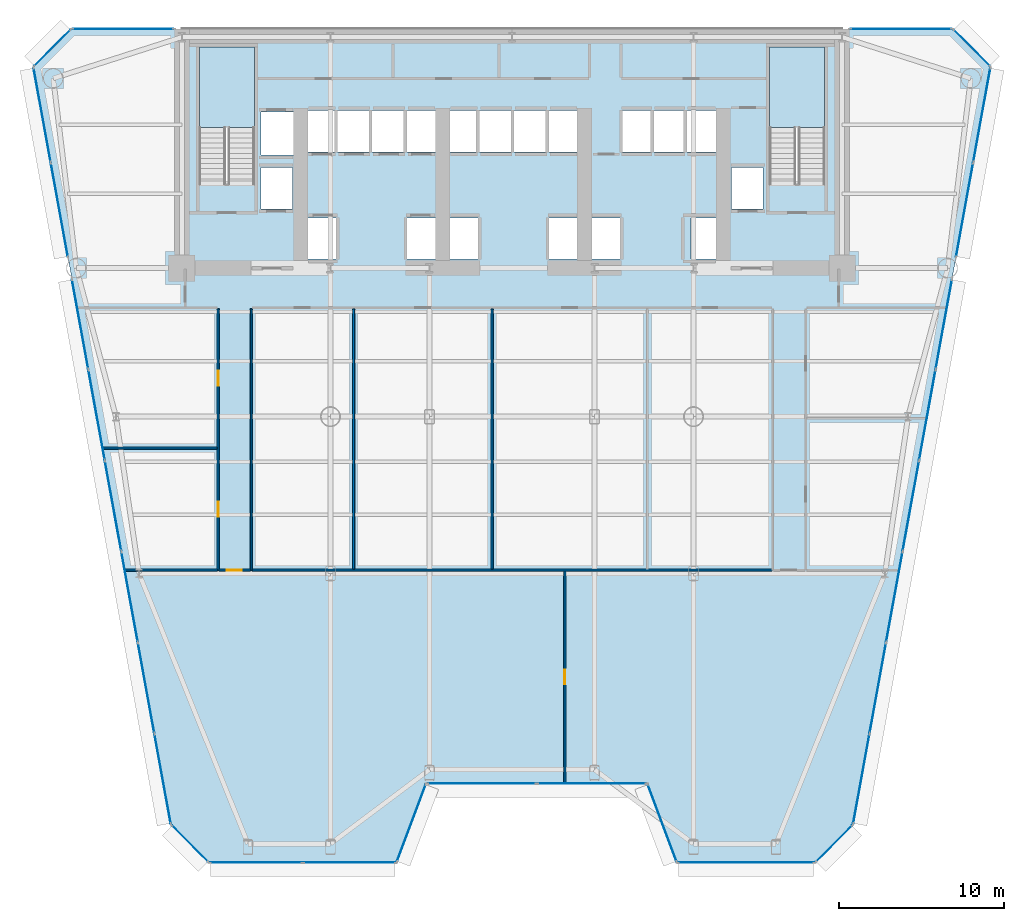
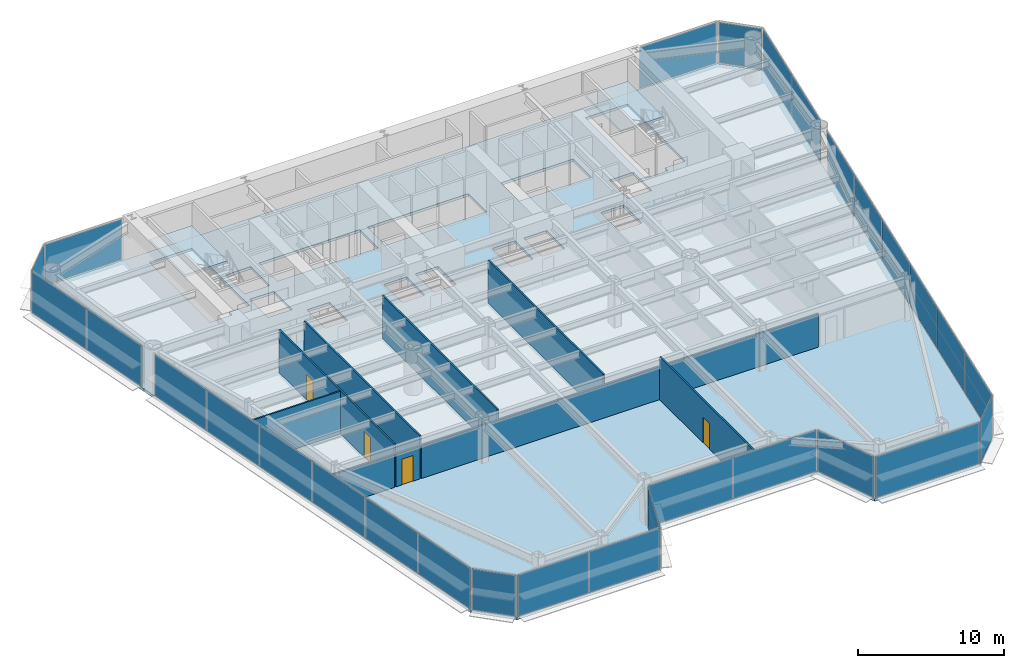
# One storey, part 7 of 14: 29 plates, 9 walls, 4 doors, 3 slabs, 4 openings, 17 elements without a shape of their own.
"""IFC4 building model written with IfcOpenShell, lengths in metres."""

from ifc_helpers import new_model, si_unit, direction, frame, frame_2d, origin, origin_2d, place, context, subcontext, project, spatial, polyline, rectangle, outline, extrude, source, transform, mapped, material, layer, layer_set, type_object, element, fill, aggregate, save


model = new_model("IFC4")

# Units and contexts
model_context = context("Model", 3, precision=1e-05, world=origin(), true_north=direction((0.0, 1.0)))
body_context = subcontext(model_context, "Body", "Model", "MODEL_VIEW")
ifc_project = project(units=[si_unit("LENGTHUNIT", "METRE"), si_unit("AREAUNIT", "SQUARE_METRE"), si_unit("VOLUMEUNIT", "CUBIC_METRE"), si_unit("PLANEANGLEUNIT", "RADIAN"), si_unit("MASSUNIT", "GRAM", prefix="KILO")], contexts=[model_context])

# Site, building, storey
site_placement = place(None, origin())
site = spatial("IfcSite", under=ifc_project, at=site_placement, CompositionType="ELEMENT")
building_placement = place(site_placement, origin())
building = spatial("IfcBuilding", under=site, at=building_placement, Name="Vaeldorn Concourse Tower", CompositionType="ELEMENT")
storey_placement = place(building_placement, frame((0.0, 0.0, 26.39990234375)))
storey = spatial("IfcBuildingStorey", under=building, at=storey_placement, Name="L06", CompositionType="ELEMENT", Elevation=26.39990234375)

# Stair, slab
ifc_material_1 = material(Name="Precast concrete C40/50", Category="concrete")
stair_type = type_object("IfcStairType", Name="STR-DOG-24x158", PredefinedType="HALF_TURN_STAIR", material=ifc_material_1)
stair_1_placement = place(storey_placement, origin())
stair_1 = element("IfcStair", 1, at=stair_1_placement, inside=storey, type_object=stair_type, Name="L06 West Core Exit Stair ST-1", PredefinedType="HALF_TURN_STAIR")
ifc_material_2 = material(Name="Concrete C40/50", Category="concrete")
ifc_layer_1 = layer(ifc_material_2, 0.199951171875)
ifc_layer_set_1 = layer_set([ifc_layer_1], Name="Concrete C40/50")
slab_type_1 = type_object("IfcSlabType", Name="SL-STAIR-LANDING", PredefinedType="LANDING", material=ifc_layer_set_1)
slab_1_placement = place(storey_placement, frame((0.0, 0.0, 1.7001953125)))
slab_1 = element("IfcSlab", 2, at=slab_1_placement, type_object=slab_type_1, Name="ST-1 landing 1", PredefinedType="LANDING", context=body_context, shape_type="SweptSolid", body=[
    extrude(outline(polyline([(18.39990234375, 45.010009765625), (18.39990234375, 49.89990234375), (15.050048828125, 49.89990234375), (15.050048828125, 45.010009765625), (18.39990234375, 45.010009765625)])), origin(), (0.0, 0.0, 1.0), 0.199951171875),
])
aggregate(stair_1, [slab_1])

stair_2_placement = place(storey_placement, origin())
stair_2 = element("IfcStair", 3, at=stair_2_placement, inside=storey, type_object=stair_type, Name="L06 East Core Exit Stair ST-2", PredefinedType="HALF_TURN_STAIR")
slab_2_placement = place(storey_placement, frame((0.0, 0.0, 1.7001953125)))
slab_2 = element("IfcSlab", 4, at=slab_2_placement, type_object=slab_type_1, Name="ST-2 landing 1", PredefinedType="LANDING", context=body_context, shape_type="SweptSolid", body=[
    extrude(outline(polyline([(52.949951171875, 45.010009765625), (52.949951171875, 49.89990234375), (49.60009765625, 49.89990234375), (49.60009765625, 45.010009765625), (52.949951171875, 45.010009765625)])), origin(), (0.0, 0.0, 1.0), 0.199951171875),
])
aggregate(stair_2, [slab_2])

# Slab
ifc_layer_2 = layer(ifc_material_2, 0.219970703125)
ifc_layer_set_2 = layer_set([ifc_layer_2], Name="Concrete C40/50")
slab_type_2 = type_object("IfcSlabType", Name="SL-TYP-220", PredefinedType="FLOOR", material=ifc_layer_set_2)
slab_3_placement = place(storey_placement, frame((0.0, 0.0, -0.219970703125)))
element("IfcSlab", 5, at=slab_3_placement, inside=storey, type_object=slab_type_2, Name="Structural Floor Slab L06", PredefinedType="FLOOR", context=body_context, shape_type="SweptSolid", body=[
    extrude(outline(polyline([(15.635986328125, 0.478271484375), (27.0, 0.478271484375), (28.800048828125, 5.2783203125), (42.199951171875, 5.2783203125), (44.0, 0.478271484375), (52.364013671875, 0.478271484375), (54.663818359375, 2.7783203125), (63.0, 48.699951171875), (60.699951171875, 51.0), (7.300048828125, 51.0), (5.0, 48.699951171875), (13.336181640625, 2.7783203125), (15.635986328125, 0.478271484375)]), holes=[polyline([(18.39990234375, 42.0), (18.39990234375, 49.89990234375), (15.050048828125, 49.89990234375), (15.050048828125, 41.60009765625), (16.800048828125, 41.60009765625), (16.800048828125, 42.0), (18.39990234375, 42.0)]), polyline([(52.949951171875, 42.0), (52.949951171875, 49.89990234375), (49.60009765625, 49.89990234375), (49.60009765625, 41.60009765625), (51.35009765625, 41.60009765625), (51.35009765625, 42.0), (52.949951171875, 42.0)]), polyline([(21.550048828125, 37.050048828125), (23.35009765625, 37.050048828125), (23.35009765625, 39.550048828125), (21.550048828125, 39.550048828125), (21.550048828125, 37.050048828125)]), polyline([(27.64990234375, 37.050048828125), (29.449951171875, 37.050048828125), (29.449951171875, 39.550048828125), (27.64990234375, 39.550048828125), (27.64990234375, 37.050048828125)]), polyline([(21.5, 43.550048828125), (29.5, 43.550048828125), (29.5, 46.050048828125), (21.5, 46.050048828125), (21.5, 43.550048828125)]), polyline([(30.14990234375, 37.050048828125), (31.949951171875, 37.050048828125), (31.949951171875, 39.550048828125), (30.14990234375, 39.550048828125), (30.14990234375, 37.050048828125)]), polyline([(36.25, 37.050048828125), (38.050048828125, 37.050048828125), (38.050048828125, 39.550048828125), (36.25, 39.550048828125), (36.25, 37.050048828125)]), polyline([(30.10009765625, 43.550048828125), (38.10009765625, 43.550048828125), (38.10009765625, 46.050048828125), (30.10009765625, 46.050048828125), (30.10009765625, 43.550048828125)]), polyline([(38.75, 37.050048828125), (40.550048828125, 37.050048828125), (40.550048828125, 39.550048828125), (38.75, 39.550048828125), (38.75, 37.050048828125)]), polyline([(44.85009765625, 37.050048828125), (46.64990234375, 37.050048828125), (46.64990234375, 39.550048828125), (44.85009765625, 39.550048828125), (44.85009765625, 37.050048828125)]), polyline([(40.699951171875, 43.550048828125), (46.39990234375, 43.550048828125), (46.39990234375, 46.050048828125), (40.699951171875, 46.050048828125), (40.699951171875, 43.550048828125)]), polyline([(18.800048828125, 43.35009765625), (20.800048828125, 43.35009765625), (20.800048828125, 45.949951171875), (18.800048828125, 45.949951171875), (18.800048828125, 43.35009765625)]), polyline([(18.800048828125, 40.10009765625), (20.699951171875, 40.10009765625), (20.699951171875, 42.60009765625), (18.800048828125, 42.60009765625), (18.800048828125, 40.10009765625)]), polyline([(47.300048828125, 40.10009765625), (49.199951171875, 40.10009765625), (49.199951171875, 42.60009765625), (47.300048828125, 42.60009765625), (47.300048828125, 40.10009765625)])]), origin(), (0.0, 0.0, 1.0), 0.219970703125),
])

# Curtain wall, plate
ifc_material_3 = material(Name="Anodised Bronze Aluminium", Category="aluminium")
ifc_layer_3 = layer(ifc_material_3, 0.219970703125)
ifc_layer_set_3 = layer_set([ifc_layer_3], Name="Anodised Bronze Aluminium")
curtain_wall_type = type_object("IfcCurtainWallType", Name="CW-SYS-01", PredefinedType="NOTDEFINED", material=ifc_layer_set_3)
curtain_wall_1_placement = place(storey_placement, origin())
curtain_wall_1 = element("IfcCurtainWall", 6, at=curtain_wall_1_placement, inside=storey, type_object=curtain_wall_type, Name="Unitised Curtain Wall CW-L06-E02-1", PredefinedType="NOTDEFINED")
ifc_material_4 = material(Name="Bronze Tinted Low-E Insulated Glass", Category="glass")
ifc_layer_4 = layer(ifc_material_4, 0.031982421875)
ifc_layer_set_4 = layer_set([ifc_layer_4], Name="Bronze Tinted Low-E Insulated Glass")
plate_type = type_object("IfcPlateType", Name="CWP-VISION-32", PredefinedType="CURTAIN_PANEL", material=ifc_layer_set_4)
shared_shape_1 = source(origin(), body_context, "Body", "SweptSolid", [
    extrude(rectangle(XDim=4.976318359375, YDim=0.031982421875, at=origin_2d()), origin(), (0.0, 0.0, 1.0), 3.429931640625),
])
plate_1_placement = place(storey_placement, frame((27.89990234375, 2.878173828125, 0.0751953125), z_axis=(0.0, 0.0, 1.0), x_axis=(0.351123441595, 0.936329177566, 0.0)))
plate_1 = element("IfcPlate", 7, at=plate_1_placement, type_object=plate_type, Name="CW-01 panel 1.1", PredefinedType="CURTAIN_PANEL", context=body_context, shape_type="MappedRepresentation", body=[
    mapped(shared_shape_1, transform((0.0, 0.0, 0.0), scale=1.0)),
])
aggregate(curtain_wall_1, [plate_1])

curtain_wall_2_placement = place(storey_placement, origin())
curtain_wall_2 = element("IfcCurtainWall", 8, at=curtain_wall_2_placement, inside=storey, type_object=curtain_wall_type, Name="Unitised Curtain Wall CW-L06-E04-1", PredefinedType="NOTDEFINED")
plate_2_placement = place(storey_placement, frame((43.10009765625, 2.878173828125, 0.0751953125), z_axis=(0.0, 0.0, 1.0), x_axis=(0.351123441595, -0.936329177566, 0.0)))
plate_2 = element("IfcPlate", 9, at=plate_2_placement, type_object=plate_type, Name="CW-01 panel 1.1", PredefinedType="CURTAIN_PANEL", context=body_context, shape_type="MappedRepresentation", body=[
    mapped(shared_shape_1, transform((0.0, 0.0, 0.0), scale=1.0)),
])
aggregate(curtain_wall_2, [plate_2])

# Curtain wall, plates
curtain_wall_3_placement = place(storey_placement, origin())
curtain_wall_3 = element("IfcCurtainWall", 10, at=curtain_wall_3_placement, inside=storey, type_object=curtain_wall_type, Name="Unitised Curtain Wall CW-L06-E03-1", PredefinedType="NOTDEFINED")
shared_shape_2 = source(origin(), body_context, "Body", "SweptSolid", [
    extrude(rectangle(XDim=6.58740234375, YDim=0.031982421875, at=origin_2d()), origin(), (0.0, 0.0, 1.0), 3.429931640625),
])
plate_3_placement = place(storey_placement, frame((32.168701171875, 5.2783203125, 0.0751953125), z_axis=(0.0, 0.0, 1.0), x_axis=(1.0, 0.0, 0.0)))
plate_3 = element("IfcPlate", 11, at=plate_3_placement, type_object=plate_type, Name="CW-01 panel 1.1", PredefinedType="CURTAIN_PANEL", context=body_context, shape_type="MappedRepresentation", body=[
    mapped(shared_shape_2, transform((0.0, 0.0, 0.0), scale=1.0)),
])
plate_4_placement = place(storey_placement, frame((38.831298828125, 5.2783203125, 0.0751953125), z_axis=(0.0, 0.0, 1.0), x_axis=(1.0, 0.0, 0.0)))
plate_4 = element("IfcPlate", 12, at=plate_4_placement, type_object=plate_type, Name="CW-01 panel 2.1", PredefinedType="CURTAIN_PANEL", context=body_context, shape_type="MappedRepresentation", body=[
    mapped(shared_shape_2, transform((0.0, 0.0, 0.0), scale=1.0)),
])
aggregate(curtain_wall_3, [plate_3, plate_4])

# Curtain wall, plate
curtain_wall_4_placement = place(storey_placement, origin())
curtain_wall_4 = element("IfcCurtainWall", 13, at=curtain_wall_4_placement, inside=storey, type_object=curtain_wall_type, Name="Unitised Curtain Wall CW-L06-E06-1", PredefinedType="NOTDEFINED")
shared_shape_3 = source(origin(), body_context, "Body", "SweptSolid", [
    extrude(rectangle(XDim=3.102783203125, YDim=0.031982421875, at=origin_2d()), origin(), (0.0, 0.0, 1.0), 3.429931640625),
])
plate_5_placement = place(storey_placement, frame((53.513916015625, 1.628173828125, 0.0751953125), z_axis=(0.0, 0.0, 1.0), x_axis=(0.707106781187, 0.707106781187, 0.0)))
plate_5 = element("IfcPlate", 14, at=plate_5_placement, type_object=plate_type, Name="CW-01 panel 1.1", PredefinedType="CURTAIN_PANEL", context=body_context, shape_type="MappedRepresentation", body=[
    mapped(shared_shape_3, transform((0.0, 0.0, 0.0), scale=1.0)),
])
aggregate(curtain_wall_4, [plate_5])

curtain_wall_5_placement = place(storey_placement, origin())
curtain_wall_5 = element("IfcCurtainWall", 15, at=curtain_wall_5_placement, inside=storey, type_object=curtain_wall_type, Name="Unitised Curtain Wall CW-L06-E08-1", PredefinedType="NOTDEFINED")
plate_6_placement = place(storey_placement, frame((61.85009765625, 49.85009765625, 0.0751953125), z_axis=(0.0, 0.0, 1.0), x_axis=(-0.707106781187, 0.707106781187, 0.0)))
plate_6 = element("IfcPlate", 16, at=plate_6_placement, type_object=plate_type, Name="CW-01 panel 1.1", PredefinedType="CURTAIN_PANEL", context=body_context, shape_type="MappedRepresentation", body=[
    mapped(shared_shape_3, transform((0.0, 0.0, 0.0), scale=1.0)),
])
aggregate(curtain_wall_5, [plate_6])

curtain_wall_6_placement = place(storey_placement, origin())
curtain_wall_6 = element("IfcCurtainWall", 17, at=curtain_wall_6_placement, inside=storey, type_object=curtain_wall_type, Name="Unitised Curtain Wall CW-L06-E10-1", PredefinedType="NOTDEFINED")
plate_7_placement = place(storey_placement, frame((6.14990234375, 49.85009765625, 0.0751953125), z_axis=(0.0, 0.0, 1.0), x_axis=(-0.707106781187, -0.707106781187, 0.0)))
plate_7 = element("IfcPlate", 18, at=plate_7_placement, type_object=plate_type, Name="CW-01 panel 1.1", PredefinedType="CURTAIN_PANEL", context=body_context, shape_type="MappedRepresentation", body=[
    mapped(shared_shape_3, transform((0.0, 0.0, 0.0), scale=1.0)),
])
aggregate(curtain_wall_6, [plate_7])

curtain_wall_7_placement = place(storey_placement, origin())
curtain_wall_7 = element("IfcCurtainWall", 19, at=curtain_wall_7_placement, inside=storey, type_object=curtain_wall_type, Name="Unitised Curtain Wall CW-L06-E12-1", PredefinedType="NOTDEFINED")
plate_8_placement = place(storey_placement, frame((14.486083984375, 1.628173828125, 0.0751953125), z_axis=(0.0, 0.0, 1.0), x_axis=(0.707106781187, -0.707106781187, 0.0)))
plate_8 = element("IfcPlate", 20, at=plate_8_placement, type_object=plate_type, Name="CW-01 panel 1.1", PredefinedType="CURTAIN_PANEL", context=body_context, shape_type="MappedRepresentation", body=[
    mapped(shared_shape_3, transform((0.0, 0.0, 0.0), scale=1.0)),
])
aggregate(curtain_wall_7, [plate_8])

curtain_wall_8_placement = place(storey_placement, origin())
curtain_wall_8 = element("IfcCurtainWall", 21, at=curtain_wall_8_placement, inside=storey, type_object=curtain_wall_type, Name="Unitised Curtain Wall CW-L06-E09-1", PredefinedType="NOTDEFINED")
shared_shape_4 = source(origin(), body_context, "Body", "SweptSolid", [
    extrude(rectangle(XDim=6.10498046875, YDim=0.031982421875, at=origin_2d()), origin(), (0.0, 0.0, 1.0), 3.429931640625),
])
plate_9_placement = place(storey_placement, frame((57.572509765625, 51.0, 0.0751953125), z_axis=(0.0, 0.0, 1.0), x_axis=(-1.0, 0.0, 0.0)))
plate_9 = element("IfcPlate", 22, at=plate_9_placement, type_object=plate_type, Name="CW-01 panel 1.1", PredefinedType="CURTAIN_PANEL", context=body_context, shape_type="MappedRepresentation", body=[
    mapped(shared_shape_4, transform((0.0, 0.0, 0.0), scale=1.0)),
])
aggregate(curtain_wall_8, [plate_9])

curtain_wall_9_placement = place(storey_placement, origin())
curtain_wall_9 = element("IfcCurtainWall", 23, at=curtain_wall_9_placement, inside=storey, type_object=curtain_wall_type, Name="Unitised Curtain Wall CW-L06-E09-2", PredefinedType="NOTDEFINED")
plate_10_placement = place(storey_placement, frame((10.427490234375, 51.0, 0.0751953125), z_axis=(0.0, 0.0, 1.0), x_axis=(-1.0, 0.0, 0.0)))
plate_10 = element("IfcPlate", 24, at=plate_10_placement, type_object=plate_type, Name="CW-01 panel 1.1", PredefinedType="CURTAIN_PANEL", context=body_context, shape_type="MappedRepresentation", body=[
    mapped(shared_shape_4, transform((0.0, 0.0, 0.0), scale=1.0)),
])
aggregate(curtain_wall_9, [plate_10])

# Curtain wall, plates
curtain_wall_10_placement = place(storey_placement, origin())
curtain_wall_10 = element("IfcCurtainWall", 25, at=curtain_wall_10_placement, inside=storey, type_object=curtain_wall_type, Name="Unitised Curtain Wall CW-L06-E01-1", PredefinedType="NOTDEFINED")
shared_shape_5 = source(origin(), body_context, "Body", "SweptSolid", [
    extrude(rectangle(XDim=5.5693359375, YDim=0.031982421875, at=origin_2d()), origin(), (0.0, 0.0, 1.0), 3.429931640625),
])
plate_11_placement = place(storey_placement, frame((18.495849609375, 0.478271484375, 0.0751953125), z_axis=(0.0, 0.0, 1.0), x_axis=(1.0, 0.0, 0.0)))
plate_11 = element("IfcPlate", 26, at=plate_11_placement, type_object=plate_type, Name="CW-01 panel 1.1", PredefinedType="CURTAIN_PANEL", context=body_context, shape_type="MappedRepresentation", body=[
    mapped(shared_shape_5, transform((0.0, 0.0, 0.0), scale=1.0)),
])
plate_12_placement = place(storey_placement, frame((24.140380859375, 0.478271484375, 0.0751953125), z_axis=(0.0, 0.0, 1.0), x_axis=(1.0, 0.0, 0.0)))
plate_12 = element("IfcPlate", 27, at=plate_12_placement, type_object=plate_type, Name="CW-01 panel 2.1", PredefinedType="CURTAIN_PANEL", context=body_context, shape_type="MappedRepresentation", body=[
    mapped(shared_shape_5, transform((0.0, 0.0, 0.0), scale=1.0)),
])
aggregate(curtain_wall_10, [plate_11, plate_12])

# Curtain wall, plate
curtain_wall_11_placement = place(storey_placement, origin())
curtain_wall_11 = element("IfcCurtainWall", 28, at=curtain_wall_11_placement, inside=storey, type_object=curtain_wall_type, Name="Unitised Curtain Wall CW-L06-E05-1", PredefinedType="NOTDEFINED")
shared_shape_6 = source(origin(), body_context, "Body", "SweptSolid", [
    extrude(rectangle(XDim=8.2138671875, YDim=0.031982421875, at=origin_2d()), origin(), (0.0, 0.0, 1.0), 3.429931640625),
])
plate_13_placement = place(storey_placement, frame((48.181884765625, 0.478271484375, 0.0751953125), z_axis=(0.0, 0.0, 1.0), x_axis=(1.0, 0.0, 0.0)))
plate_13 = element("IfcPlate", 29, at=plate_13_placement, type_object=plate_type, Name="CW-01 panel 1.1", PredefinedType="CURTAIN_PANEL", context=body_context, shape_type="MappedRepresentation", body=[
    mapped(shared_shape_6, transform((0.0, 0.0, 0.0), scale=1.0)),
])
aggregate(curtain_wall_11, [plate_13])

# Curtain wall, plates
curtain_wall_12_placement = place(storey_placement, origin())
curtain_wall_12 = element("IfcCurtainWall", 30, at=curtain_wall_12_placement, inside=storey, type_object=curtain_wall_type, Name="Unitised Curtain Wall CW-L06-E07-1", PredefinedType="NOTDEFINED")
shared_shape_7 = source(origin(), body_context, "Body", "SweptSolid", [
    extrude(rectangle(XDim=5.49462890625, YDim=0.031982421875, at=origin_2d()), origin(), (0.0, 0.0, 1.0), 3.429931640625),
])
plate_14_placement = place(storey_placement, frame((55.16796875, 5.55517578125, 0.0751953125), z_axis=(0.0, 0.0, 1.0), x_axis=(0.178609215521, 0.983920092351, 0.0)))
plate_14 = element("IfcPlate", 31, at=plate_14_placement, type_object=plate_type, Name="CW-01 panel 1.1", PredefinedType="CURTAIN_PANEL", context=body_context, shape_type="MappedRepresentation", body=[
    mapped(shared_shape_7, transform((0.0, 0.0, 0.0), scale=1.0)),
])
plate_15_placement = place(storey_placement, frame((60.168701171875, 33.103515625, 0.0751953125), z_axis=(0.0, 0.0, 1.0), x_axis=(0.178609215521, 0.983920092351, 0.0)))
plate_15 = element("IfcPlate", 32, at=plate_15_placement, type_object=plate_type, Name="CW-01 panel 6.1", PredefinedType="CURTAIN_PANEL", context=body_context, shape_type="MappedRepresentation", body=[
    mapped(shared_shape_7, transform((0.0, 0.0, 0.0), scale=1.0)),
])

curtain_wall_13_placement = place(storey_placement, origin())
curtain_wall_13 = element("IfcCurtainWall", 33, at=curtain_wall_13_placement, inside=storey, type_object=curtain_wall_type, Name="Unitised Curtain Wall CW-L06-E11-2", PredefinedType="NOTDEFINED")
plate_16_placement = place(storey_placement, frame((7.831298828125, 33.103515625, 0.0751953125), z_axis=(0.0, 0.0, 1.0), x_axis=(0.178609215521, -0.983920092351, 0.0)))
plate_16 = element("IfcPlate", 34, at=plate_16_placement, type_object=plate_type, Name="CW-01 panel 1.1", PredefinedType="CURTAIN_PANEL", context=body_context, shape_type="MappedRepresentation", body=[
    mapped(shared_shape_7, transform((0.0, 0.0, 0.0), scale=1.0)),
])
plate_17_placement = place(storey_placement, frame((12.83203125, 5.55517578125, 0.0751953125), z_axis=(0.0, 0.0, 1.0), x_axis=(0.178609215521, -0.983920092351, 0.0)))
plate_17 = element("IfcPlate", 35, at=plate_17_placement, type_object=plate_type, Name="CW-01 panel 6.1", PredefinedType="CURTAIN_PANEL", context=body_context, shape_type="MappedRepresentation", body=[
    mapped(shared_shape_7, transform((0.0, 0.0, 0.0), scale=1.0)),
])

# Plate
shared_shape_8 = source(origin(), body_context, "Body", "SweptSolid", [
    extrude(rectangle(XDim=5.5322265625, YDim=0.031982421875, at=origin_2d()), origin(), (0.0, 0.0, 1.0), 3.429931640625),
])
plate_18_placement = place(storey_placement, frame((56.166259765625, 11.0537109375, 0.0751953125), z_axis=(0.0, 0.0, 1.0), x_axis=(0.178609215521, 0.983920092351, 0.0)))
plate_18 = element("IfcPlate", 36, at=plate_18_placement, type_object=plate_type, Name="CW-01 panel 2.1", PredefinedType="CURTAIN_PANEL", context=body_context, shape_type="MappedRepresentation", body=[
    mapped(shared_shape_8, transform((0.0, 0.0, 0.0), scale=1.0)),
])

plate_19_placement = place(storey_placement, frame((57.167724609375, 16.57080078125, 0.0751953125), z_axis=(0.0, 0.0, 1.0), x_axis=(0.178609215521, 0.983920092351, 0.0)))
plate_19 = element("IfcPlate", 37, at=plate_19_placement, type_object=plate_type, Name="CW-01 panel 3.1", PredefinedType="CURTAIN_PANEL", context=body_context, shape_type="MappedRepresentation", body=[
    mapped(shared_shape_8, transform((0.0, 0.0, 0.0), scale=1.0)),
])

plate_20_placement = place(storey_placement, frame((58.169189453125, 22.087890625, 0.0751953125), z_axis=(0.0, 0.0, 1.0), x_axis=(0.178609215521, 0.983920092351, 0.0)))
plate_20 = element("IfcPlate", 38, at=plate_20_placement, type_object=plate_type, Name="CW-01 panel 4.1", PredefinedType="CURTAIN_PANEL", context=body_context, shape_type="MappedRepresentation", body=[
    mapped(shared_shape_8, transform((0.0, 0.0, 0.0), scale=1.0)),
])

plate_21_placement = place(storey_placement, frame((59.170654296875, 27.60498046875, 0.0751953125), z_axis=(0.0, 0.0, 1.0), x_axis=(0.178609215521, 0.983920092351, 0.0)))
plate_21 = element("IfcPlate", 39, at=plate_21_placement, type_object=plate_type, Name="CW-01 panel 5.1", PredefinedType="CURTAIN_PANEL", context=body_context, shape_type="MappedRepresentation", body=[
    mapped(shared_shape_8, transform((0.0, 0.0, 0.0), scale=1.0)),
])

aggregate(curtain_wall_12, [plate_14, plate_18, plate_19, plate_20, plate_21, plate_15])

plate_22_placement = place(storey_placement, frame((8.829345703125, 27.60498046875, 0.0751953125), z_axis=(0.0, 0.0, 1.0), x_axis=(0.178609215521, -0.983920092351, 0.0)))
plate_22 = element("IfcPlate", 40, at=plate_22_placement, type_object=plate_type, Name="CW-01 panel 2.1", PredefinedType="CURTAIN_PANEL", context=body_context, shape_type="MappedRepresentation", body=[
    mapped(shared_shape_8, transform((0.0, 0.0, 0.0), scale=1.0)),
])

plate_23_placement = place(storey_placement, frame((9.830810546875, 22.087890625, 0.0751953125), z_axis=(0.0, 0.0, 1.0), x_axis=(0.178609215521, -0.983920092351, 0.0)))
plate_23 = element("IfcPlate", 41, at=plate_23_placement, type_object=plate_type, Name="CW-01 panel 3.1", PredefinedType="CURTAIN_PANEL", context=body_context, shape_type="MappedRepresentation", body=[
    mapped(shared_shape_8, transform((0.0, 0.0, 0.0), scale=1.0)),
])

plate_24_placement = place(storey_placement, frame((10.832275390625, 16.57080078125, 0.0751953125), z_axis=(0.0, 0.0, 1.0), x_axis=(0.178609215521, -0.983920092351, 0.0)))
plate_24 = element("IfcPlate", 42, at=plate_24_placement, type_object=plate_type, Name="CW-01 panel 4.1", PredefinedType="CURTAIN_PANEL", context=body_context, shape_type="MappedRepresentation", body=[
    mapped(shared_shape_8, transform((0.0, 0.0, 0.0), scale=1.0)),
])

plate_25_placement = place(storey_placement, frame((11.833740234375, 11.0537109375, 0.0751953125), z_axis=(0.0, 0.0, 1.0), x_axis=(0.178609215521, -0.983920092351, 0.0)))
plate_25 = element("IfcPlate", 43, at=plate_25_placement, type_object=plate_type, Name="CW-01 panel 5.1", PredefinedType="CURTAIN_PANEL", context=body_context, shape_type="MappedRepresentation", body=[
    mapped(shared_shape_8, transform((0.0, 0.0, 0.0), scale=1.0)),
])

aggregate(curtain_wall_13, [plate_16, plate_22, plate_23, plate_24, plate_25, plate_17])

# Curtain wall, plates
curtain_wall_14_placement = place(storey_placement, origin())
curtain_wall_14 = element("IfcCurtainWall", 44, at=curtain_wall_14_placement, inside=storey, type_object=curtain_wall_type, Name="Unitised Curtain Wall CW-L06-E07-2", PredefinedType="NOTDEFINED")
shared_shape_9 = source(origin(), body_context, "Body", "SweptSolid", [
    extrude(rectangle(XDim=5.7724609375, YDim=0.031982421875, at=origin_2d()), origin(), (0.0, 0.0, 1.0), 3.429931640625),
])
plate_26_placement = place(storey_placement, frame((61.4267578125, 40.032958984375, 0.0751953125), z_axis=(0.0, 0.0, 1.0), x_axis=(0.178610285377, 0.983919898141, 0.0)))
plate_26 = element("IfcPlate", 45, at=plate_26_placement, type_object=plate_type, Name="CW-01 panel 1.1", PredefinedType="CURTAIN_PANEL", context=body_context, shape_type="MappedRepresentation", body=[
    mapped(shared_shape_9, transform((0.0, 0.0, 0.0), scale=1.0)),
])
plate_27_placement = place(storey_placement, frame((62.47119140625, 45.786376953125, 0.0751953125), z_axis=(0.0, 0.0, 1.0), x_axis=(0.178610285377, 0.983919898141, 0.0)))
plate_27 = element("IfcPlate", 46, at=plate_27_placement, type_object=plate_type, Name="CW-01 panel 2.1", PredefinedType="CURTAIN_PANEL", context=body_context, shape_type="MappedRepresentation", body=[
    mapped(shared_shape_9, transform((0.0, 0.0, 0.0), scale=1.0)),
])
aggregate(curtain_wall_14, [plate_26, plate_27])

curtain_wall_15_placement = place(storey_placement, origin())
curtain_wall_15 = element("IfcCurtainWall", 47, at=curtain_wall_15_placement, inside=storey, type_object=curtain_wall_type, Name="Unitised Curtain Wall CW-L06-E11-1", PredefinedType="NOTDEFINED")
plate_28_placement = place(storey_placement, frame((5.52880859375, 45.786376953125, 0.0751953125), z_axis=(0.0, 0.0, 1.0), x_axis=(0.178610285377, -0.983919898141, 0.0)))
plate_28 = element("IfcPlate", 48, at=plate_28_placement, type_object=plate_type, Name="CW-01 panel 1.1", PredefinedType="CURTAIN_PANEL", context=body_context, shape_type="MappedRepresentation", body=[
    mapped(shared_shape_9, transform((0.0, 0.0, 0.0), scale=1.0)),
])
plate_29_placement = place(storey_placement, frame((6.5732421875, 40.032958984375, 0.0751953125), z_axis=(0.0, 0.0, 1.0), x_axis=(0.178610285377, -0.983919898141, 0.0)))
plate_29 = element("IfcPlate", 49, at=plate_29_placement, type_object=plate_type, Name="CW-01 panel 2.1", PredefinedType="CURTAIN_PANEL", context=body_context, shape_type="MappedRepresentation", body=[
    mapped(shared_shape_9, transform((0.0, 0.0, 0.0), scale=1.0)),
])
aggregate(curtain_wall_15, [plate_28, plate_29])

# Wall, openings, doors
ifc_material_5 = material(Name="Gypsum Board Partition", Category="gypsum")
ifc_layer_5 = layer(ifc_material_5, 0.1201171875)
ifc_layer_set_5 = layer_set([ifc_layer_5], Name="Gypsum Board Partition")
wall_type = type_object("IfcWallType", Name="WL-PART-120", PredefinedType="PARTITIONING", material=ifc_layer_set_5)
wall_1_placement = place(storey_placement, frame((16.199951171875, 18.199951171875, 0.0), z_axis=(0.0, 0.0, 1.0), x_axis=(0.0, 1.0, 0.0)))
wall_1 = element("IfcWall", 50, at=wall_1_placement, inside=storey, type_object=wall_type, Name="Interior Wall PW-L06-CWW", PredefinedType="PARTITIONING", context=body_context, shape_type="SweptSolid", body=[
    extrude(rectangle(XDim=15.840087890625, YDim=0.1201171875, at=frame_2d((7.919921875, 0.0))), origin(), (0.0, 0.0, 1.0), 3.580078125),
])
opening_1_placement = place(wall_1_placement, frame((3.25, 0.0, 0.0)))
opening_1 = element("IfcOpeningElement", 51, at=opening_1_placement, cuts=wall_1, Name="Opening D-03", PredefinedType="OPENING", context=body_context, shape_type="SweptSolid", body=[
    extrude(rectangle(XDim=0.89990234375, YDim=2.14990234375, at=frame_2d((0.449951171875, 1.074951171875))), frame((0.0, 0.070068359375, 0.0), z_axis=(0.0, -1.0, 0.0), x_axis=(1.0, 0.0, 0.0)), (0.0, 0.0, 1.0), 0.14013671875),
])
opening_2_placement = place(wall_1_placement, frame((11.169921875, 0.0, 0.0)))
opening_2 = element("IfcOpeningElement", 52, at=opening_2_placement, cuts=wall_1, Name="Opening D-03", PredefinedType="OPENING", context=body_context, shape_type="SweptSolid", body=[
    extrude(rectangle(XDim=0.89990234375, YDim=2.14990234375, at=frame_2d((0.449951171875, 1.074951171875))), frame((0.0, 0.070068359375, 0.0), z_axis=(0.0, -1.0, 0.0), x_axis=(1.0, 0.0, 0.0)), (0.0, 0.0, 1.0), 0.14013671875),
])
ifc_material_6 = material(Name="Acoustic Bronze-Framed Glass Door", Category="glass")
door_type = type_object("IfcDoorType", Name="DR-INT-900", OperationType="NOTDEFINED", PredefinedType="DOOR", material=ifc_material_6)
shared_shape_10 = source(origin(), body_context, "Body", "SweptSolid", [
    extrude(rectangle(XDim=0.89990234375, YDim=2.14990234375, at=frame_2d((0.449951171875, 1.074951171875))), frame((0.0, 0.02490234375, 0.0), z_axis=(0.0, -1.0, 0.0), x_axis=(1.0, 0.0, 0.0)), (0.0, 0.0, 1.0), 0.050048828125),
])
door_1_placement = place(opening_1_placement, origin())
door_1 = element("IfcDoor", 53, at=door_1_placement, inside=storey, type_object=door_type, Name="Interior Door DR-L06-W1", OperationType="SINGLE_SWING_LEFT", OverallHeight=2.14990234375, OverallWidth=0.89990234375, PredefinedType="DOOR", context=body_context, shape_type="MappedRepresentation", body=[
    mapped(shared_shape_10, transform((0.0, 0.0, 0.0), scale=1.0)),
])
fill(opening_1, door_1)
door_2_placement = place(opening_2_placement, origin())
door_2 = element("IfcDoor", 54, at=door_2_placement, inside=storey, type_object=door_type, Name="Interior Door DR-L06-W2", OperationType="SINGLE_SWING_RIGHT", OverallHeight=2.14990234375, OverallWidth=0.89990234375, PredefinedType="DOOR", context=body_context, shape_type="MappedRepresentation", body=[
    mapped(shared_shape_10, transform((0.0, 0.0, 0.0), scale=1.0)),
])
fill(opening_2, door_2)

# Wall
wall_2_placement = place(storey_placement, frame((18.199951171875, 18.199951171875, 0.0), z_axis=(0.0, 0.0, 1.0), x_axis=(0.0, 1.0, 0.0)))
element("IfcWall", 55, at=wall_2_placement, inside=storey, type_object=wall_type, Name="Interior Wall PW-L06-CWE", PredefinedType="PARTITIONING", context=body_context, shape_type="SweptSolid", body=[
    extrude(rectangle(XDim=15.840087890625, YDim=0.1201171875, at=frame_2d((7.919921875, 0.0))), origin(), (0.0, 0.0, 1.0), 3.580078125),
])

# Wall, opening, door
wall_3_placement = place(storey_placement, frame((16.260009765625, 18.199951171875, 0.0), z_axis=(0.0, 0.0, 1.0), x_axis=(1.0, 0.0, 0.0)))
wall_3 = element("IfcWall", 56, at=wall_3_placement, inside=storey, type_object=wall_type, Name="Interior Wall PW-L06-CWS", PredefinedType="PARTITIONING", context=body_context, shape_type="SweptSolid", body=[
    extrude(rectangle(XDim=1.8798828125, YDim=0.1201171875, at=frame_2d((0.93994140625, 0.0))), origin(), (0.0, 0.0, 1.0), 2.77001953125),
])
opening_3_placement = place(wall_3_placement, frame((0.449951171875, 0.0, 0.0)))
opening_3 = element("IfcOpeningElement", 57, at=opening_3_placement, cuts=wall_3, Name="Opening D-03", PredefinedType="OPENING", context=body_context, shape_type="SweptSolid", body=[
    extrude(rectangle(XDim=0.89990234375, YDim=2.14990234375, at=frame_2d((0.449951171875, 1.074951171875))), frame((0.0, 0.070068359375, 0.0), z_axis=(0.0, -1.0, 0.0), x_axis=(1.0, 0.0, 0.0)), (0.0, 0.0, 1.0), 0.14013671875),
])
door_3_placement = place(opening_3_placement, origin())
door_3 = element("IfcDoor", 58, at=door_3_placement, inside=storey, type_object=door_type, Name="Interior Door DR-L06-SWL", OperationType="SINGLE_SWING_LEFT", OverallHeight=2.14990234375, OverallWidth=0.89990234375, PredefinedType="DOOR", context=body_context, shape_type="MappedRepresentation", body=[
    mapped(shared_shape_10, transform((0.0, 0.0, 0.0), scale=1.0)),
])
fill(opening_3, door_3)

# Walls
wall_4_placement = place(storey_placement, frame((10.57666015625, 18.199951171875, 0.0), z_axis=(0.0, 0.0, 1.0), x_axis=(1.0, 0.0, 0.0)))
element("IfcWall", 59, at=wall_4_placement, inside=storey, type_object=wall_type, Name="Interior Wall PW-L06-WY0", PredefinedType="PARTITIONING", context=body_context, shape_type="SweptSolid", body=[
    extrude(rectangle(XDim=5.563232421875, YDim=0.1201171875, at=frame_2d((2.78173828125, 0.0))), origin(), (0.0, 0.0, 1.0), 2.77001953125),
])
wall_5_placement = place(storey_placement, frame((9.2333984375, 25.60009765625, 0.0), z_axis=(0.0, 0.0, 1.0), x_axis=(1.0, 0.0, 0.0)))
element("IfcWall", 60, at=wall_5_placement, inside=storey, type_object=wall_type, Name="Interior Wall PW-L06-WY1", PredefinedType="PARTITIONING", context=body_context, shape_type="SweptSolid", body=[
    extrude(rectangle(XDim=6.906494140625, YDim=0.1201171875, at=frame_2d((3.453125, 0.0))), origin(), (0.0, 0.0, 1.0), 3.580078125),
])
wall_6_placement = place(storey_placement, frame((18.260009765625, 18.199951171875, 0.0), z_axis=(0.0, 0.0, 1.0), x_axis=(1.0, 0.0, 0.0)))
element("IfcWall", 61, at=wall_6_placement, inside=storey, type_object=wall_type, Name="Interior Wall PW-L06-HUBS", PredefinedType="PARTITIONING", context=body_context, shape_type="SweptSolid", body=[
    extrude(rectangle(XDim=31.47998046875, YDim=0.1201171875, at=frame_2d((15.739990234375, 0.0))), origin(), (0.0, 0.0, 1.0), 2.77001953125),
])
for number, where, z_axis, x_axis, name in (
    (62, (24.39990234375, 18.260009765625, 0.0), (0.0, 0.0, 1.0), (0.0, 1.0, 0.0), "Interior Wall PW-L06-HX1"),
    (63, (32.800048828125, 18.260009765625, 0.0), (0.0, 0.0, 1.0), (0.0, 1.0, 0.0), "Interior Wall PW-L06-HX2"),
):
    element("IfcWall", number, at=place(storey_placement, frame(where, z_axis=z_axis, x_axis=x_axis)), inside=storey, type_object=wall_type, Name=name, PredefinedType="PARTITIONING", context=body_context, shape_type="SweptSolid", body=[
        extrude(rectangle(XDim=15.780029296875, YDim=0.1201171875, at=frame_2d((7.89013671875, 0.0))), origin(), (0.0, 0.0, 1.0), 3.580078125),
    ])

# Wall, opening, door
wall_7_placement = place(storey_placement, frame((37.199951171875, 5.318115234375, 0.0), z_axis=(0.0, 0.0, 1.0), x_axis=(0.0, 1.0, 0.0)))
wall_7 = element("IfcWall", 64, at=wall_7_placement, inside=storey, type_object=wall_type, Name="Interior Wall PW-L06-SMID1", PredefinedType="PARTITIONING", context=body_context, shape_type="SweptSolid", body=[
    extrude(rectangle(XDim=12.82177734375, YDim=0.1201171875, at=frame_2d((6.410888671875, 0.0))), origin(), (0.0, 0.0, 1.0), 3.580078125),
])
opening_4_placement = place(wall_7_placement, frame((5.9609375, 0.0, 0.0)))
opening_4 = element("IfcOpeningElement", 65, at=opening_4_placement, cuts=wall_7, Name="Opening D-03", PredefinedType="OPENING", context=body_context, shape_type="SweptSolid", body=[
    extrude(rectangle(XDim=0.89990234375, YDim=2.14990234375, at=frame_2d((0.449951171875, 1.074951171875))), frame((0.0, 0.070068359375, 0.0), z_axis=(0.0, -1.0, 0.0), x_axis=(1.0, 0.0, 0.0)), (0.0, 0.0, 1.0), 0.14013671875),
])
door_4_placement = place(opening_4_placement, origin())
door_4 = element("IfcDoor", 66, at=door_4_placement, inside=storey, type_object=door_type, Name="Interior Door DR-L06-SMID1", OperationType="SINGLE_SWING_RIGHT", OverallHeight=2.14990234375, OverallWidth=0.89990234375, PredefinedType="DOOR", context=body_context, shape_type="MappedRepresentation", body=[
    mapped(shared_shape_10, transform((0.0, 0.0, 0.0), scale=1.0)),
])
fill(opening_4, door_4)

save(model, "model.ifc")
